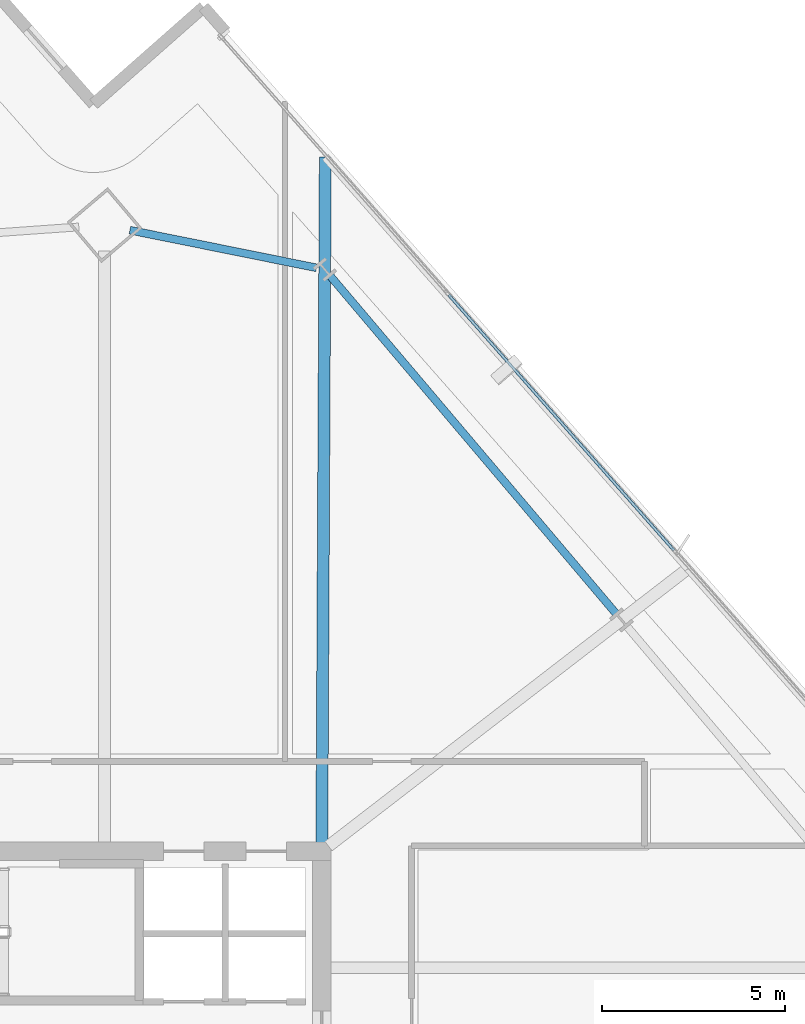
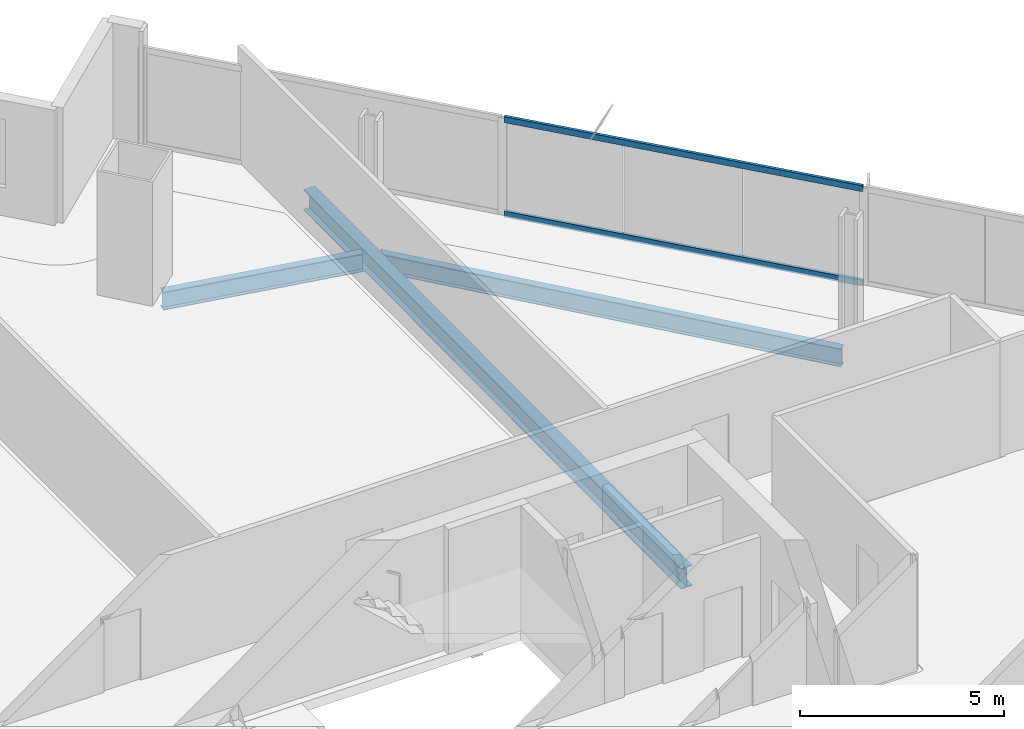
# One storey, part 23 of 34: 3 beams, 2 members, 1 element without a shape of its own.
"""IFC4 building model written with IfcOpenShell, lengths in metres."""

import ifcopenshell
import ifcopenshell.guid

model = None  # the IFC model being written
_history = None  # IfcOwnerHistory: only IFC2X3 demands one
_inside = {}  # id of a spatial element -> (the spatial element, [elements in it])
_under = {}  # id of a project, library or spatial element -> (it, [spatial elements below it])
_declared = {}  # id of a project -> (the project, [libraries it declares])
_typed = {}  # id of a type object -> (the type object, [elements of that type])
_made_of = {}  # id of a material, layer set ... -> (it, [elements and type objects made of it])


def new_model(schema):
    """Start an empty IFC model of exactly this schema.

    Asked for "IFC4X3", IfcOpenShell would pick the latest addendum, in which some entities
    have other attributes; the version numbers below select the first issue.
    IFC2X3 requires an IfcOwnerHistory on every rooted entity: one is made here for all.
    """
    global model, _history
    if schema == "IFC4X3":
        model = ifcopenshell.file(schema_version=(4, 3, 0, 0))
    else:
        model = ifcopenshell.file(schema=schema)
    _inside.clear()
    _under.clear()
    _declared.clear()
    _typed.clear()
    _made_of.clear()
    _history = None
    if model.schema == "IFC2X3":
        org = make("IfcOrganization", Name="unknown")
        user = make(
            "IfcPersonAndOrganization",
            ThePerson=make("IfcPerson", FamilyName="unknown"),
            TheOrganization=org,
        )
        app = make(
            "IfcApplication",
            ApplicationDeveloper=org,
            Version="unknown",
            ApplicationFullName="unknown",
            ApplicationIdentifier="unknown",
        )
        _history = make(
            "IfcOwnerHistory",
            OwningUser=user,
            OwningApplication=app,
            ChangeAction="ADDED",
            CreationDate=0,
        )
    return model


def make(cls, **values):
    """One entity of the class cls with the attributes given. An attribute that is None is left unset."""
    return model.create_entity(
        cls, **{name: value for name, value in values.items() if value is not None}
    )


def rooted(cls, **values):
    """An entity with a GlobalId (a new one), such as an element, a storey or a relation."""
    return make(cls, GlobalId=ifcopenshell.guid.new(), OwnerHistory=_history, **values)


def si_unit(unit_type, name, prefix=None):
    """IfcSIUnit, for example si_unit("LENGTHUNIT", "METRE", prefix="MILLI")."""
    return make("IfcSIUnit", UnitType=unit_type, Prefix=prefix, Name=name)


def assignment(units):
    """IfcUnitAssignment: the units of a project."""
    return None if units is None else make("IfcUnitAssignment", Units=units)


def point(xyz):
    """IfcCartesianPoint."""
    return None if xyz is None else make("IfcCartesianPoint", Coordinates=xyz)


def direction(xyz):
    """IfcDirection."""
    return None if xyz is None else make("IfcDirection", DirectionRatios=xyz)


def frame(location, z_axis=None, x_axis=None):
    """IfcAxis2Placement3D, a coordinate frame: its origin and axes. An axis left out is left unset."""
    return make(
        "IfcAxis2Placement3D",
        Location=point(location),
        Axis=direction(z_axis),
        RefDirection=direction(x_axis),
    )


def frame_2d(location, x_axis=None):
    """IfcAxis2Placement2D, a coordinate frame in the plane: its origin and x axis."""
    return make(
        "IfcAxis2Placement2D", Location=point(location), RefDirection=direction(x_axis)
    )


def origin():
    """The frame at (0, 0, 0) with its axes left unset."""
    return frame((0.0, 0.0, 0.0))


def origin_2d():
    """The frame at (0, 0) in the plane with its x axis left unset."""
    return frame_2d((0.0, 0.0))


def place(relative_to, where):
    """IfcLocalPlacement: puts the frame where relative to a parent placement (None: the world)."""
    return make(
        "IfcLocalPlacement", PlacementRelTo=relative_to, RelativePlacement=where
    )


def context(
    kind, dimensions, precision=None, world=None, true_north=None, identifier=None
):
    """IfcGeometricRepresentationContext, for example the 3D "Model" context."""
    return make(
        "IfcGeometricRepresentationContext",
        ContextIdentifier=identifier,
        ContextType=kind,
        CoordinateSpaceDimension=dimensions,
        Precision=precision,
        WorldCoordinateSystem=world,
        TrueNorth=true_north,
    )


def subcontext(parent, identifier, kind, view, scale=None):
    """IfcGeometricRepresentationSubContext, for example "Body" below "Model"."""
    return make(
        "IfcGeometricRepresentationSubContext",
        ContextIdentifier=identifier,
        ContextType=kind,
        ParentContext=parent,
        TargetScale=scale,
        TargetView=view,
    )


def project(units=None, contexts=None):
    """IfcProject with its units and contexts."""
    return rooted(
        "IfcProject",
        Name="project",
        RepresentationContexts=contexts,
        UnitsInContext=assignment(units),
    )


def spatial(cls, under=None, at=None, **own):
    """A site, building, storey or space (cls), placed at a placement, below another one or the project."""
    s = rooted(cls, ObjectPlacement=at, **own)
    if under is not None:
        _under.setdefault(under.id(), (under, []))[1].append(s)
    return s


def profile(cls, at=None, kind="AREA", **sizes):
    """A parametric profile (cls). Its sizes go by their IFC names, for example OverallWidth=200.0."""
    return make(cls, ProfileType=kind, Position=at, **sizes)


def hollow_rectangle(**sizes):
    """IfcRectangleHollowProfileDef."""
    return profile("IfcRectangleHollowProfileDef", **sizes)


def i_section(**sizes):
    """IfcIShapeProfileDef."""
    return profile("IfcIShapeProfileDef", **sizes)


def extrude(swept, where, along, depth):
    """IfcExtrudedAreaSolid: the profile swept, set in the frame where, extruded along a direction by depth."""
    return make(
        "IfcExtrudedAreaSolid",
        SweptArea=swept,
        Position=where,
        ExtrudedDirection=direction(along),
        Depth=depth,
    )


def shape(context_of_items, identifier, shape_type, items):
    """IfcShapeRepresentation: the items that make up one representation, for example the "Body"."""
    return make(
        "IfcShapeRepresentation",
        ContextOfItems=context_of_items,
        RepresentationIdentifier=identifier,
        RepresentationType=shape_type,
        Items=items,
    )


def material(Name=None, Category=None):
    """IfcMaterial."""
    return make("IfcMaterial", Name=Name, Category=Category)


def material_profile(
    of_material, cross_section, Name=None, Category=None, Priority=None
):
    """IfcMaterialProfile: a cross section and its material."""
    return make(
        "IfcMaterialProfile",
        Name=Name,
        Material=of_material,
        Profile=cross_section,
        Priority=Priority,
        Category=Category,
    )


def profile_set(profiles, Name=None, composite=None):
    """IfcMaterialProfileSet."""
    return make(
        "IfcMaterialProfileSet",
        Name=Name,
        MaterialProfiles=profiles,
        CompositeProfile=composite,
    )


def made_of(thing, what):
    """Note that an element or type object is made of a material, layer set ...; save() writes the relation."""
    if what is not None:
        _made_of.setdefault(what.id(), (what, []))[1].append(thing)
    return thing


def type_object(cls, material=None, **own):
    """A type object (cls), such as IfcWallType, which elements share."""
    return made_of(rooted(cls, **own), material)


def element(
    cls,
    number,
    at=None,
    inside=None,
    cuts=None,
    type_object=None,
    material=None,
    context=None,
    identifier="Body",
    shape_type=None,
    held_by="IfcProductDefinitionShape",
    body=None,
    shapes=None,
    **own,
):
    """One element of the class cls, such as IfcWall. Its Tag is "e" and its number.

    at: its placement. inside: the storey or other place that contains it. cuts: it is an
    opening in that element (IfcRelVoidsElement). A single representation is given by context,
    identifier, shape_type and body (its items); several are given by shapes. held_by: the class
    of the entity that holds the representations. save() writes the other relations.
    """
    e = rooted(cls, Tag="e%d" % number, ObjectPlacement=at, **own)
    if body is not None:
        shapes = [shape(context, identifier, shape_type, body)]
    if shapes is not None:
        e.Representation = make(held_by, Representations=shapes)
    if inside is not None:
        _inside.setdefault(inside.id(), (inside, []))[1].append(e)
    if cuts is not None:
        rooted(
            "IfcRelVoidsElement", RelatingBuildingElement=cuts, RelatedOpeningElement=e
        )
    if type_object is not None:
        _typed.setdefault(type_object.id(), (type_object, []))[1].append(e)
    return made_of(e, material)


def aggregate(whole, parts):
    """IfcRelAggregates: a whole, such as a stair, and the parts it consists of."""
    return rooted("IfcRelAggregates", RelatingObject=whole, RelatedObjects=parts)


def save(model, path):
    """Write the relations noted so far, then the file.

    IfcRelAggregates (storeys below a building ...), IfcRelContainedInSpatialStructure (elements
    in a storey), IfcRelDefinesByType, IfcRelAssociatesMaterial and IfcRelDeclares: one each for
    every whole, place, type object, material and project.
    """
    for whole, parts in _under.values():
        aggregate(whole, parts)
    for where, things in _inside.values():
        rooted(
            "IfcRelContainedInSpatialStructure",
            RelatedElements=things,
            RelatingStructure=where,
        )
    for kind, things in _typed.values():
        rooted("IfcRelDefinesByType", RelatedObjects=things, RelatingType=kind)
    for what, things in _made_of.values():
        rooted("IfcRelAssociatesMaterial", RelatedObjects=things, RelatingMaterial=what)
    for by, libraries in _declared.values():
        rooted("IfcRelDeclares", RelatingContext=by, RelatedDefinitions=libraries)
    model.write(path)


model = new_model("IFC4")

# Units and contexts
model_context = context("Model", 3, precision=1e-05, world=origin(), true_north=direction((0.0, 1.0)))
body_context = subcontext(model_context, "Body", "Model", "MODEL_VIEW")
ifc_project = project(units=[si_unit("LENGTHUNIT", "METRE"), si_unit("AREAUNIT", "SQUARE_METRE"), si_unit("VOLUMEUNIT", "CUBIC_METRE"), si_unit("PLANEANGLEUNIT", "RADIAN"), si_unit("MASSUNIT", "GRAM", prefix="KILO")], contexts=[model_context])

# Site, building, storey
site_placement = place(None, origin())
site = spatial("IfcSite", under=ifc_project, at=site_placement, CompositionType="ELEMENT")
building_placement = place(site_placement, origin())
building = spatial("IfcBuilding", under=site, at=building_placement, Name="Haldenkirk Collegiate Tower", CompositionType="ELEMENT")
storey_placement = place(building_placement, frame((0.0, 0.0, 166.949951171875)))
storey = spatial("IfcBuildingStorey", under=building, at=storey_placement, Name="L41", CompositionType="ELEMENT", Elevation=166.949951171875)

# Beams
ifc_material_1 = material(Name="Steel ASTM A992 Grade 50", Category="steel")
ifc_material_profile_1 = material_profile(ifc_material_1, i_section(OverallWidth=0.324951171875, OverallDepth=0.615966796875, WebThickness=0.013916015625, FlangeThickness=0.021484375, at=origin_2d()), Name="W24X117")
ifc_profile_set_1 = profile_set([ifc_material_profile_1], Name="Steel ASTM A992 Grade 50")
beam_type_1 = type_object("IfcBeamType", Name="BM-GIRDER-W24X117", PredefinedType="BEAM", material=ifc_profile_set_1)
beam_1_placement = place(storey_placement, frame((45.09521484375, 52.927490234375, -0.597900390625), z_axis=(-0.005027030558, -0.999987364402, 0.0), x_axis=(0.999987364402, -0.005027030558, 0.0)))
element("IfcBeam", 1, at=beam_1_placement, inside=storey, type_object=beam_type_1, Name="L41 primary floor girder 10", PredefinedType="BEAM", context=body_context, shape_type="SweptSolid", body=[
    extrude(i_section(OverallWidth=0.324951171875, OverallDepth=0.615966796875, WebThickness=0.013916015625, FlangeThickness=0.021484375, at=origin_2d()), origin(), (0.0, 0.0, 1.0), 18.69775390625),
])
ifc_material_profile_2 = material_profile(ifc_material_1, i_section(OverallWidth=0.2119140625, OverallDepth=0.5439453125, WebThickness=0.01318359375, FlangeThickness=0.021240234375, at=origin_2d()), Name="W21X83")
ifc_profile_set_2 = profile_set([ifc_material_profile_2], Name="Steel ASTM A992 Grade 50")
beam_type_2 = type_object("IfcBeamType", Name="BM-SPANDREL-W21X83", PredefinedType="SPANDREL", material=ifc_profile_set_2)
beam_2_placement = place(storey_placement, frame((53.023193359375, 40.482177734375, -0.56201171875), z_axis=(-0.646126367676, 0.763230448157, 0.0), x_axis=(-0.763230448157, -0.646126367676, 0.0)))
element("IfcBeam", 2, at=beam_2_placement, inside=storey, type_object=beam_type_2, Name="L41 perimeter spandrel beam 07", PredefinedType="SPANDREL", context=body_context, shape_type="SweptSolid", body=[
    extrude(i_section(OverallWidth=0.2119140625, OverallDepth=0.5439453125, WebThickness=0.01318359375, FlangeThickness=0.021240234375, at=origin_2d()), origin(), (0.0, 0.0, 1.0), 12.06494140625),
])
beam_3_placement = place(storey_placement, frame((44.85546875, 49.910400390625, -0.56201171875), z_axis=(-0.980286465062, 0.197581493102, 0.0), x_axis=(-0.197581493102, -0.980286465062, 0.0)))
element("IfcBeam", 3, at=beam_3_placement, inside=storey, type_object=beam_type_2, Name="L41 perimeter spandrel beam 08", PredefinedType="SPANDREL", context=body_context, shape_type="SweptSolid", body=[
    extrude(i_section(OverallWidth=0.2119140625, OverallDepth=0.5439453125, WebThickness=0.01318359375, FlangeThickness=0.021240234375, at=origin_2d()), origin(), (0.0, 0.0, 1.0), 5.189697265625),
])

# Curtain wall, members
ifc_material_2 = material(Name="Anodised architectural bronze aluminium", Category="aluminium")
curtain_wall_type = type_object("IfcCurtainWallType", Name="CW-SYS1-CONVEX-LOW", PredefinedType="USERDEFINED", material=ifc_material_2)
curtain_wall_placement = place(storey_placement, origin())
curtain_wall = element("IfcCurtainWall", 4, at=curtain_wall_placement, inside=storey, type_object=curtain_wall_type, Name="L41 Lower tower convex bronze-framed unitised curtain wall", ObjectType="UNITISED CURTAIN WALL", PredefinedType="USERDEFINED")
ifc_material_profile_3 = material_profile(ifc_material_2, hollow_rectangle(XDim=0.080078125, YDim=0.179931640625, WallThickness=0.0048828125, at=origin_2d()), Name="CW-TRN-1A")
ifc_profile_set_3 = profile_set([ifc_material_profile_3], Name="Anodised architectural bronze aluminium")
member_type = type_object("IfcMemberType", Name="CW-TRN-1A", PredefinedType="USERDEFINED", material=ifc_profile_set_3)
member_1_placement = place(storey_placement, frame((48.4599609375, 49.171630859375, 0.0400390625), z_axis=(0.661306029355, -0.750116214689, 0.0), x_axis=(0.750116214689, 0.661306029355, 0.0)))
member_1 = element("IfcMember", 5, at=member_1_placement, type_object=member_type, Name="CW-1A transom 2.1", ObjectType="TRANSOM", PredefinedType="USERDEFINED", context=body_context, shape_type="SweptSolid", body=[
    extrude(hollow_rectangle(XDim=0.080078125, YDim=0.179931640625, WallThickness=0.0048828125, at=origin_2d()), origin(), (0.0, 0.0, 1.0), 9.288818359375),
])
member_2_placement = place(storey_placement, frame((48.4599609375, 49.171630859375, 2.87109375), z_axis=(0.661306029355, -0.750116214689, 0.0), x_axis=(0.750116214689, 0.661306029355, 0.0)))
member_2 = element("IfcMember", 6, at=member_2_placement, type_object=member_type, Name="CW-1A transom 2.2", ObjectType="TRANSOM", PredefinedType="USERDEFINED", context=body_context, shape_type="SweptSolid", body=[
    extrude(hollow_rectangle(XDim=0.080078125, YDim=0.179931640625, WallThickness=0.0048828125, at=origin_2d()), origin(), (0.0, 0.0, 1.0), 9.288818359375),
])
aggregate(curtain_wall, [member_1, member_2])

save(model, "model.ifc")
